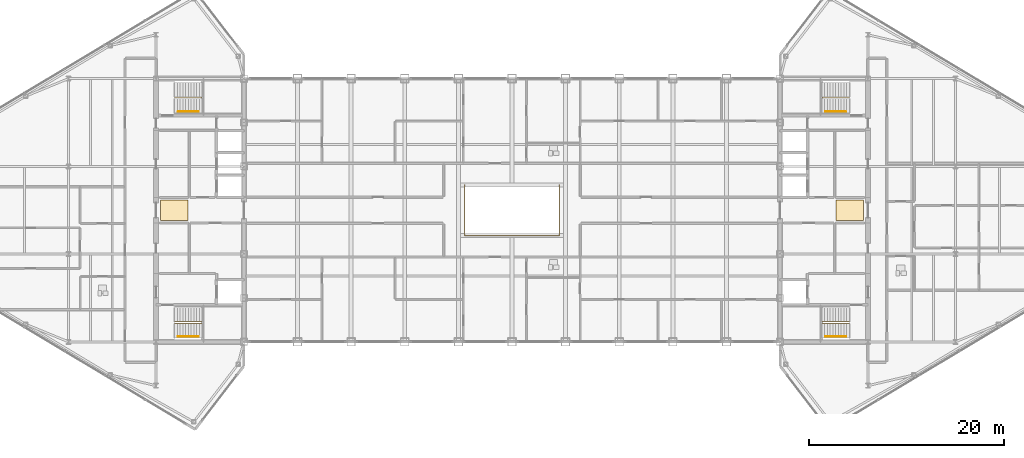
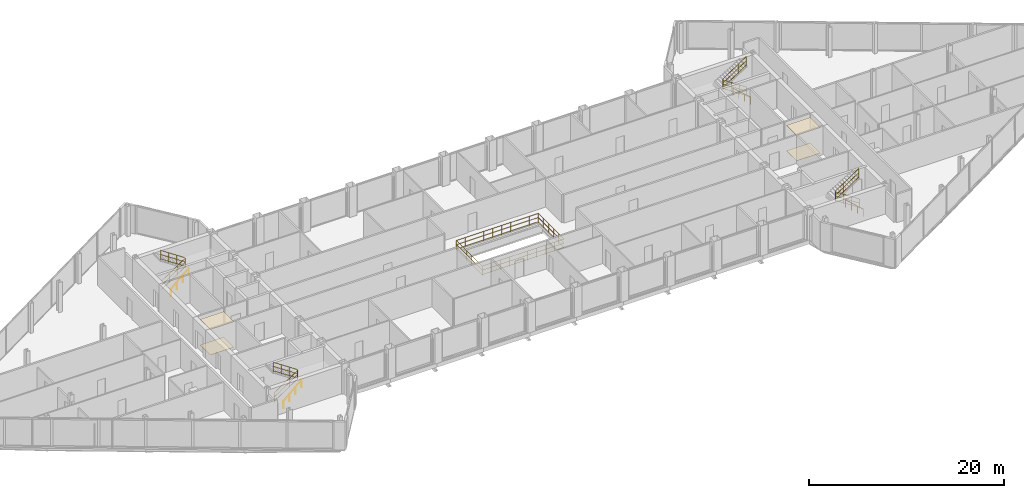
# One storey, part 28 of 29: 9 railings, 4 coverings.
"""IFC4 building model written with IfcOpenShell, lengths in metres."""

from ifc_helpers import new_model, si_unit, direction, frame, origin, origin_2d, place, context, subcontext, project, spatial, polyline, circle, outline, extrude, material, layer, layer_set, type_object, element, save


model = new_model("IFC4")

# Units and contexts
model_context = context("Model", 3, precision=1e-05, world=origin(), true_north=direction((0.0, 1.0)))
body_context = subcontext(model_context, "Body", "Model", "MODEL_VIEW")
ifc_project = project(units=[si_unit("LENGTHUNIT", "METRE"), si_unit("AREAUNIT", "SQUARE_METRE"), si_unit("VOLUMEUNIT", "CUBIC_METRE"), si_unit("PLANEANGLEUNIT", "RADIAN"), si_unit("MASSUNIT", "GRAM", prefix="KILO")], contexts=[model_context])

# Site, building, storey
site_placement = place(None, origin())
site = spatial("IfcSite", under=ifc_project, at=site_placement, CompositionType="ELEMENT")
building_placement = place(site_placement, origin())
building = spatial("IfcBuilding", under=site, at=building_placement, Name="Seokmaru Belvedere", CompositionType="ELEMENT")
storey_placement = place(building_placement, frame((0.0, 0.0, 250.64990234375)))
storey = spatial("IfcBuildingStorey", under=building, at=storey_placement, Name="L66", CompositionType="ELEMENT", Elevation=250.64990234375)

# Coverings
ifc_material_1 = material(Name="Engineered White Oak Timber", Category="wood")
ifc_layer_1 = layer(ifc_material_1, 0.02197265625)
ifc_layer_set_1 = layer_set([ifc_layer_1], Name="Engineered White Oak Timber")
covering_type_1 = type_object("IfcCoveringType", Name="Engineered Oak Residence Floor Finish 22", PredefinedType="FLOORING", material=ifc_layer_set_1)
covering_1_placement = place(storey_placement, origin())
element("IfcCovering", 1, at=covering_1_placement, inside=storey, type_object=covering_type_1, Name="L66 W Foyer Floor Finish", PredefinedType="FLOORING", context=body_context, shape_type="SweptSolid", body=[
    extrude(outline(polyline([(-36.050048828125, -1.050048828125), (-33.25, -1.050048828125), (-33.25, 1.050048828125), (-36.050048828125, 1.050048828125), (-36.050048828125, -1.050048828125)])), origin(), (0.0, 0.0, 1.0), 0.022216796875),
])
covering_2_placement = place(storey_placement, origin())
element("IfcCovering", 2, at=covering_2_placement, inside=storey, type_object=covering_type_1, Name="L66 E Foyer Floor Finish", PredefinedType="FLOORING", context=body_context, shape_type="SweptSolid", body=[
    extrude(outline(polyline([(33.25, -1.050048828125), (36.050048828125, -1.050048828125), (36.050048828125, 1.050048828125), (33.25, 1.050048828125), (33.25, -1.050048828125)])), origin(), (0.0, 0.0, 1.0), 0.022216796875),
])
ifc_material_2 = material(Name="Fire-Rated Gypsum Shaftwall")
ifc_layer_2 = layer(ifc_material_2, 0.02490234375)
ifc_layer_set_2 = layer_set([ifc_layer_2], Name="Fire-Rated Gypsum Shaftwall")
covering_type_2 = type_object("IfcCoveringType", Name="Perforated Acoustic Gypsum Suspended Ceiling 25", PredefinedType="CEILING", material=ifc_layer_set_2)
covering_3_placement = place(storey_placement, frame((0.0, 0.0, 3.18017578125)))
element("IfcCovering", 3, at=covering_3_placement, inside=storey, type_object=covering_type_2, Name="L66 W Lift Foyer Acoustic Ceiling", PredefinedType="CEILING", context=body_context, shape_type="SweptSolid", body=[
    extrude(outline(polyline([(-36.050048828125, -1.050048828125), (-33.25, -1.050048828125), (-33.25, 1.050048828125), (-36.050048828125, 1.050048828125), (-36.050048828125, -1.050048828125)])), origin(), (0.0, 0.0, 1.0), 0.02490234375),
])
covering_4_placement = place(storey_placement, frame((0.0, 0.0, 3.18017578125)))
element("IfcCovering", 4, at=covering_4_placement, inside=storey, type_object=covering_type_2, Name="L66 E Lift Foyer Acoustic Ceiling", PredefinedType="CEILING", context=body_context, shape_type="SweptSolid", body=[
    extrude(outline(polyline([(33.25, -1.050048828125), (36.050048828125, -1.050048828125), (36.050048828125, 1.050048828125), (33.25, 1.050048828125), (33.25, -1.050048828125)])), origin(), (0.0, 0.0, 1.0), 0.02490234375),
])

# Railings
ifc_material_3 = material(Name="Stainless Steel 316", Category="steel")
railing_type_1 = type_object("IfcRailingType", Name="Stainless Steel Wall and Flight Handrail 900", PredefinedType="HANDRAIL", material=ifc_material_3)
for number, where, name in (
    (5, (-34.25, -12.949951171875, 0.0), "L66 Stair ST-W1 Wall Handrail"),
    (6, (-34.25, 10.110107421875, 0.0), "L66 Stair ST-W2 Wall Handrail"),
):
    element("IfcRailing", number, at=place(storey_placement, frame(where)), inside=storey, type_object=railing_type_1, Name=name, PredefinedType="HANDRAIL", context=body_context, shape_type="SweptSolid", body=[
        extrude(circle(Radius=0.02392578125, at=origin_2d()), frame((0.0, 0.0, 0.8759765625), z_axis=(0.74595304797, 0.0, 0.665998536202), x_axis=(0.0, 1.0, 0.0)), (0.0, 0.0, 1.0), 2.8154296875),
        extrude(circle(Radius=0.02099609375, at=origin_2d()), origin(), (0.0, 0.0, 1.0), 0.851806640625),
        extrude(circle(Radius=0.02099609375, at=origin_2d()), frame((0.699951171875, 0.0, 0.625)), (0.0, 0.0, 1.0), 0.851806640625),
        extrude(circle(Radius=0.02099609375, at=origin_2d()), frame((1.400146484375, 0.0, 1.25)), (0.0, 0.0, 1.0), 0.851806640625),
        extrude(circle(Radius=0.02099609375, at=origin_2d()), frame((2.10009765625, 0.0, 1.875)), (0.0, 0.0, 1.0), 0.851806640625),
    ])
for number, where, name in (
    (7, (34.25, -12.949951171875, 0.0), "L66 Stair ST-E1 Wall Handrail"),
    (8, (34.25, 10.110107421875, 0.0), "L66 Stair ST-E2 Wall Handrail"),
):
    element("IfcRailing", number, at=place(storey_placement, frame(where)), inside=storey, type_object=railing_type_1, Name=name, PredefinedType="HANDRAIL", context=body_context, shape_type="SweptSolid", body=[
        extrude(circle(Radius=0.02392578125, at=origin_2d()), frame((0.0, 0.0, 0.8759765625), z_axis=(-0.74595304797, 0.0, 0.665998536202), x_axis=(0.0, -1.0, 0.0)), (0.0, 0.0, 1.0), 2.8154296875),
        extrude(circle(Radius=0.02099609375, at=origin_2d()), origin(), (0.0, 0.0, 1.0), 0.851806640625),
        extrude(circle(Radius=0.02099609375, at=origin_2d()), frame((-0.699951171875, 0.0, 0.625)), (0.0, 0.0, 1.0), 0.851806640625),
        extrude(circle(Radius=0.02099609375, at=origin_2d()), frame((-1.400146484375, 0.0, 1.25)), (0.0, 0.0, 1.0), 0.851806640625),
        extrude(circle(Radius=0.02099609375, at=origin_2d()), frame((-2.10009765625, 0.0, 1.875)), (0.0, 0.0, 1.0), 0.851806640625),
    ])
railing_type_2 = type_object("IfcRailingType", Name="Stair Well and Atrium Steel Guardrail 1200", PredefinedType="GUARDRAIL", material=ifc_material_3)
railing_1_placement = place(storey_placement, frame((-34.60009765625, -11.60009765625, 0.0)))
element("IfcRailing", 9, at=railing_1_placement, inside=storey, type_object=railing_type_2, Name="L66 Stair ST-W1 Inner Well Guardrail", PredefinedType="GUARDRAIL", context=body_context, shape_type="SweptSolid", body=[
    extrude(circle(Radius=0.02392578125, at=origin_2d()), frame((0.0, 0.0, 1.17578125), z_axis=(0.830911662861, 0.0, 0.55640435703), x_axis=(0.0, 1.0, 0.0)), (0.0, 0.0, 1.0), 3.369873046875),
    extrude(circle(Radius=0.02392578125, at=origin_2d()), frame((0.0, 0.0, 0.1201171875), z_axis=(0.830911662861, 0.0, 0.55640435703), x_axis=(0.0, 1.0, 0.0)), (0.0, 0.0, 1.0), 3.369873046875),
    extrude(circle(Radius=0.02392578125, at=origin_2d()), frame((0.0, 0.0, 0.659912109375), z_axis=(0.830911662861, 0.0, 0.55640435703), x_axis=(0.0, 1.0, 0.0)), (0.0, 0.0, 1.0), 3.369873046875),
    extrude(circle(Radius=0.02392578125, at=origin_2d()), frame((2.800048828125, 0.0, 3.05078125), z_axis=(0.0, 1.0, 0.0), x_axis=(-1.0, 0.0, 0.0)), (0.0, 0.0, 1.0), 0.14013671875),
    extrude(circle(Radius=0.02392578125, at=origin_2d()), frame((2.800048828125, 0.0, 1.9951171875), z_axis=(0.0, 1.0, 0.0), x_axis=(-1.0, 0.0, 0.0)), (0.0, 0.0, 1.0), 0.14013671875),
    extrude(circle(Radius=0.02392578125, at=origin_2d()), frame((2.800048828125, 0.0, 2.534912109375), z_axis=(0.0, 1.0, 0.0), x_axis=(-1.0, 0.0, 0.0)), (0.0, 0.0, 1.0), 0.14013671875),
    extrude(circle(Radius=0.02392578125, at=origin_2d()), frame((2.800048828125, 0.14013671875, 3.05078125), z_axis=(-0.830911662861, 0.0, 0.55640435703), x_axis=(0.0, -1.0, 0.0)), (0.0, 0.0, 1.0), 3.369873046875),
    extrude(circle(Radius=0.02392578125, at=origin_2d()), frame((2.800048828125, 0.14013671875, 1.9951171875), z_axis=(-0.830911662861, 0.0, 0.55640435703), x_axis=(0.0, -1.0, 0.0)), (0.0, 0.0, 1.0), 3.369873046875),
    extrude(circle(Radius=0.02392578125, at=origin_2d()), frame((2.800048828125, 0.14013671875, 2.534912109375), z_axis=(-0.830911662861, 0.0, 0.55640435703), x_axis=(0.0, -1.0, 0.0)), (0.0, 0.0, 1.0), 3.369873046875),
    extrude(circle(Radius=0.02099609375, at=origin_2d()), origin(), (0.0, 0.0, 1.0), 1.15185546875),
    extrude(circle(Radius=0.02099609375, at=origin_2d()), frame((0.933349609375, 0.0, 0.625)), (0.0, 0.0, 1.0), 1.15185546875),
    extrude(circle(Radius=0.02099609375, at=origin_2d()), frame((1.86669921875, 0.0, 1.25)), (0.0, 0.0, 1.0), 1.15185546875),
    extrude(circle(Radius=0.02099609375, at=origin_2d()), frame((2.800048828125, 0.0, 1.875)), (0.0, 0.0, 1.0), 1.15185546875),
    extrude(circle(Radius=0.02099609375, at=origin_2d()), frame((2.800048828125, 0.14013671875, 1.875)), (0.0, 0.0, 1.0), 1.15185546875),
    extrude(circle(Radius=0.02099609375, at=origin_2d()), frame((1.86669921875, 0.14013671875, 2.5)), (0.0, 0.0, 1.0), 1.15185546875),
    extrude(circle(Radius=0.02099609375, at=origin_2d()), frame((0.933349609375, 0.14013671875, 3.125)), (0.0, 0.0, 1.0), 1.15185546875),
    extrude(circle(Radius=0.02099609375, at=origin_2d()), frame((0.0, 0.14013671875, 3.75)), (0.0, 0.0, 1.0), 1.15185546875),
])
railing_2_placement = place(storey_placement, frame((-34.60009765625, 11.4599609375, 0.0)))
element("IfcRailing", 10, at=railing_2_placement, inside=storey, type_object=railing_type_2, Name="L66 Stair ST-W2 Inner Well Guardrail", PredefinedType="GUARDRAIL", context=body_context, shape_type="SweptSolid", body=[
    extrude(circle(Radius=0.02392578125, at=origin_2d()), frame((0.0, 0.0, 1.17578125), z_axis=(0.830911662861, 0.0, 0.55640435703), x_axis=(0.0, 1.0, 0.0)), (0.0, 0.0, 1.0), 3.369873046875),
    extrude(circle(Radius=0.02392578125, at=origin_2d()), frame((0.0, 0.0, 0.1201171875), z_axis=(0.830911662861, 0.0, 0.55640435703), x_axis=(0.0, 1.0, 0.0)), (0.0, 0.0, 1.0), 3.369873046875),
    extrude(circle(Radius=0.02392578125, at=origin_2d()), frame((0.0, 0.0, 0.659912109375), z_axis=(0.830911662861, 0.0, 0.55640435703), x_axis=(0.0, 1.0, 0.0)), (0.0, 0.0, 1.0), 3.369873046875),
    extrude(circle(Radius=0.02392578125, at=origin_2d()), frame((2.800048828125, 0.0, 3.05078125), z_axis=(0.0, 1.0, 0.0), x_axis=(-1.0, 0.0, 0.0)), (0.0, 0.0, 1.0), 0.14013671875),
    extrude(circle(Radius=0.02392578125, at=origin_2d()), frame((2.800048828125, 0.0, 1.9951171875), z_axis=(0.0, 1.0, 0.0), x_axis=(-1.0, 0.0, 0.0)), (0.0, 0.0, 1.0), 0.14013671875),
    extrude(circle(Radius=0.02392578125, at=origin_2d()), frame((2.800048828125, 0.0, 2.534912109375), z_axis=(0.0, 1.0, 0.0), x_axis=(-1.0, 0.0, 0.0)), (0.0, 0.0, 1.0), 0.14013671875),
    extrude(circle(Radius=0.02392578125, at=origin_2d()), frame((2.800048828125, 0.14013671875, 3.05078125), z_axis=(-0.830911662861, 0.0, 0.55640435703), x_axis=(0.0, -1.0, 0.0)), (0.0, 0.0, 1.0), 3.369873046875),
    extrude(circle(Radius=0.02392578125, at=origin_2d()), frame((2.800048828125, 0.14013671875, 1.9951171875), z_axis=(-0.830911662861, 0.0, 0.55640435703), x_axis=(0.0, -1.0, 0.0)), (0.0, 0.0, 1.0), 3.369873046875),
    extrude(circle(Radius=0.02392578125, at=origin_2d()), frame((2.800048828125, 0.14013671875, 2.534912109375), z_axis=(-0.830911662861, 0.0, 0.55640435703), x_axis=(0.0, -1.0, 0.0)), (0.0, 0.0, 1.0), 3.369873046875),
    extrude(circle(Radius=0.02099609375, at=origin_2d()), origin(), (0.0, 0.0, 1.0), 1.15185546875),
    extrude(circle(Radius=0.02099609375, at=origin_2d()), frame((0.933349609375, 0.0, 0.625)), (0.0, 0.0, 1.0), 1.15185546875),
    extrude(circle(Radius=0.02099609375, at=origin_2d()), frame((1.86669921875, 0.0, 1.25)), (0.0, 0.0, 1.0), 1.15185546875),
    extrude(circle(Radius=0.02099609375, at=origin_2d()), frame((2.800048828125, 0.0, 1.875)), (0.0, 0.0, 1.0), 1.15185546875),
    extrude(circle(Radius=0.02099609375, at=origin_2d()), frame((2.800048828125, 0.14013671875, 1.875)), (0.0, 0.0, 1.0), 1.15185546875),
    extrude(circle(Radius=0.02099609375, at=origin_2d()), frame((1.86669921875, 0.14013671875, 2.5)), (0.0, 0.0, 1.0), 1.15185546875),
    extrude(circle(Radius=0.02099609375, at=origin_2d()), frame((0.933349609375, 0.14013671875, 3.125)), (0.0, 0.0, 1.0), 1.15185546875),
    extrude(circle(Radius=0.02099609375, at=origin_2d()), frame((0.0, 0.14013671875, 3.75)), (0.0, 0.0, 1.0), 1.15185546875),
])
railing_3_placement = place(storey_placement, frame((34.60009765625, -11.60009765625, 0.0)))
element("IfcRailing", 11, at=railing_3_placement, inside=storey, type_object=railing_type_2, Name="L66 Stair ST-E1 Inner Well Guardrail", PredefinedType="GUARDRAIL", context=body_context, shape_type="SweptSolid", body=[
    extrude(circle(Radius=0.02392578125, at=origin_2d()), frame((0.0, 0.0, 1.17578125), z_axis=(-0.830911662861, 0.0, 0.55640435703), x_axis=(0.0, -1.0, 0.0)), (0.0, 0.0, 1.0), 3.369873046875),
    extrude(circle(Radius=0.02392578125, at=origin_2d()), frame((0.0, 0.0, 0.1201171875), z_axis=(-0.830911662861, 0.0, 0.55640435703), x_axis=(0.0, -1.0, 0.0)), (0.0, 0.0, 1.0), 3.369873046875),
    extrude(circle(Radius=0.02392578125, at=origin_2d()), frame((0.0, 0.0, 0.659912109375), z_axis=(-0.830911662861, 0.0, 0.55640435703), x_axis=(0.0, -1.0, 0.0)), (0.0, 0.0, 1.0), 3.369873046875),
    extrude(circle(Radius=0.02392578125, at=origin_2d()), frame((-2.800048828125, 0.0, 3.05078125), z_axis=(0.0, 1.0, 0.0), x_axis=(-1.0, 0.0, 0.0)), (0.0, 0.0, 1.0), 0.14013671875),
    extrude(circle(Radius=0.02392578125, at=origin_2d()), frame((-2.800048828125, 0.0, 1.9951171875), z_axis=(0.0, 1.0, 0.0), x_axis=(-1.0, 0.0, 0.0)), (0.0, 0.0, 1.0), 0.14013671875),
    extrude(circle(Radius=0.02392578125, at=origin_2d()), frame((-2.800048828125, 0.0, 2.534912109375), z_axis=(0.0, 1.0, 0.0), x_axis=(-1.0, 0.0, 0.0)), (0.0, 0.0, 1.0), 0.14013671875),
    extrude(circle(Radius=0.02392578125, at=origin_2d()), frame((-2.800048828125, 0.14013671875, 3.05078125), z_axis=(0.830911662861, 0.0, 0.55640435703), x_axis=(0.0, 1.0, 0.0)), (0.0, 0.0, 1.0), 3.369873046875),
    extrude(circle(Radius=0.02392578125, at=origin_2d()), frame((-2.800048828125, 0.14013671875, 1.9951171875), z_axis=(0.830911662861, 0.0, 0.55640435703), x_axis=(0.0, 1.0, 0.0)), (0.0, 0.0, 1.0), 3.369873046875),
    extrude(circle(Radius=0.02392578125, at=origin_2d()), frame((-2.800048828125, 0.14013671875, 2.534912109375), z_axis=(0.830911662861, 0.0, 0.55640435703), x_axis=(0.0, 1.0, 0.0)), (0.0, 0.0, 1.0), 3.369873046875),
    extrude(circle(Radius=0.02099609375, at=origin_2d()), origin(), (0.0, 0.0, 1.0), 1.15185546875),
    extrude(circle(Radius=0.02099609375, at=origin_2d()), frame((-0.933349609375, 0.0, 0.625)), (0.0, 0.0, 1.0), 1.15185546875),
    extrude(circle(Radius=0.02099609375, at=origin_2d()), frame((-1.86669921875, 0.0, 1.25)), (0.0, 0.0, 1.0), 1.15185546875),
    extrude(circle(Radius=0.02099609375, at=origin_2d()), frame((-2.800048828125, 0.0, 1.875)), (0.0, 0.0, 1.0), 1.15185546875),
    extrude(circle(Radius=0.02099609375, at=origin_2d()), frame((-2.800048828125, 0.14013671875, 1.875)), (0.0, 0.0, 1.0), 1.15185546875),
    extrude(circle(Radius=0.02099609375, at=origin_2d()), frame((-1.86669921875, 0.14013671875, 2.5)), (0.0, 0.0, 1.0), 1.15185546875),
    extrude(circle(Radius=0.02099609375, at=origin_2d()), frame((-0.933349609375, 0.14013671875, 3.125)), (0.0, 0.0, 1.0), 1.15185546875),
    extrude(circle(Radius=0.02099609375, at=origin_2d()), frame((0.0, 0.14013671875, 3.75)), (0.0, 0.0, 1.0), 1.15185546875),
])
railing_4_placement = place(storey_placement, frame((34.60009765625, 11.4599609375, 0.0)))
element("IfcRailing", 12, at=railing_4_placement, inside=storey, type_object=railing_type_2, Name="L66 Stair ST-E2 Inner Well Guardrail", PredefinedType="GUARDRAIL", context=body_context, shape_type="SweptSolid", body=[
    extrude(circle(Radius=0.02392578125, at=origin_2d()), frame((0.0, 0.0, 1.17578125), z_axis=(-0.830911662861, 0.0, 0.55640435703), x_axis=(0.0, -1.0, 0.0)), (0.0, 0.0, 1.0), 3.369873046875),
    extrude(circle(Radius=0.02392578125, at=origin_2d()), frame((0.0, 0.0, 0.1201171875), z_axis=(-0.830911662861, 0.0, 0.55640435703), x_axis=(0.0, -1.0, 0.0)), (0.0, 0.0, 1.0), 3.369873046875),
    extrude(circle(Radius=0.02392578125, at=origin_2d()), frame((0.0, 0.0, 0.659912109375), z_axis=(-0.830911662861, 0.0, 0.55640435703), x_axis=(0.0, -1.0, 0.0)), (0.0, 0.0, 1.0), 3.369873046875),
    extrude(circle(Radius=0.02392578125, at=origin_2d()), frame((-2.800048828125, 0.0, 3.05078125), z_axis=(0.0, 1.0, 0.0), x_axis=(-1.0, 0.0, 0.0)), (0.0, 0.0, 1.0), 0.14013671875),
    extrude(circle(Radius=0.02392578125, at=origin_2d()), frame((-2.800048828125, 0.0, 1.9951171875), z_axis=(0.0, 1.0, 0.0), x_axis=(-1.0, 0.0, 0.0)), (0.0, 0.0, 1.0), 0.14013671875),
    extrude(circle(Radius=0.02392578125, at=origin_2d()), frame((-2.800048828125, 0.0, 2.534912109375), z_axis=(0.0, 1.0, 0.0), x_axis=(-1.0, 0.0, 0.0)), (0.0, 0.0, 1.0), 0.14013671875),
    extrude(circle(Radius=0.02392578125, at=origin_2d()), frame((-2.800048828125, 0.14013671875, 3.05078125), z_axis=(0.830911662861, 0.0, 0.55640435703), x_axis=(0.0, 1.0, 0.0)), (0.0, 0.0, 1.0), 3.369873046875),
    extrude(circle(Radius=0.02392578125, at=origin_2d()), frame((-2.800048828125, 0.14013671875, 1.9951171875), z_axis=(0.830911662861, 0.0, 0.55640435703), x_axis=(0.0, 1.0, 0.0)), (0.0, 0.0, 1.0), 3.369873046875),
    extrude(circle(Radius=0.02392578125, at=origin_2d()), frame((-2.800048828125, 0.14013671875, 2.534912109375), z_axis=(0.830911662861, 0.0, 0.55640435703), x_axis=(0.0, 1.0, 0.0)), (0.0, 0.0, 1.0), 3.369873046875),
    extrude(circle(Radius=0.02099609375, at=origin_2d()), origin(), (0.0, 0.0, 1.0), 1.15185546875),
    extrude(circle(Radius=0.02099609375, at=origin_2d()), frame((-0.933349609375, 0.0, 0.625)), (0.0, 0.0, 1.0), 1.15185546875),
    extrude(circle(Radius=0.02099609375, at=origin_2d()), frame((-1.86669921875, 0.0, 1.25)), (0.0, 0.0, 1.0), 1.15185546875),
    extrude(circle(Radius=0.02099609375, at=origin_2d()), frame((-2.800048828125, 0.0, 1.875)), (0.0, 0.0, 1.0), 1.15185546875),
    extrude(circle(Radius=0.02099609375, at=origin_2d()), frame((-2.800048828125, 0.14013671875, 1.875)), (0.0, 0.0, 1.0), 1.15185546875),
    extrude(circle(Radius=0.02099609375, at=origin_2d()), frame((-1.86669921875, 0.14013671875, 2.5)), (0.0, 0.0, 1.0), 1.15185546875),
    extrude(circle(Radius=0.02099609375, at=origin_2d()), frame((-0.933349609375, 0.14013671875, 3.125)), (0.0, 0.0, 1.0), 1.15185546875),
    extrude(circle(Radius=0.02099609375, at=origin_2d()), frame((0.0, 0.14013671875, 3.75)), (0.0, 0.0, 1.0), 1.15185546875),
])
railing_5_placement = place(storey_placement, frame((-4.840087890625, -2.639892578125, 0.0)))
element("IfcRailing", 13, at=railing_5_placement, inside=storey, type_object=railing_type_2, Name="L66 Sky-Gate Atrium Void Balustrade", PredefinedType="GUARDRAIL", context=body_context, shape_type="SweptSolid", body=[
    extrude(circle(Radius=0.02392578125, at=origin_2d()), frame((0.0, 0.0, 1.17578125), z_axis=(1.0, 0.0, 0.0), x_axis=(0.0, 1.0, 0.0)), (0.0, 0.0, 1.0), 9.68017578125),
    extrude(circle(Radius=0.02392578125, at=origin_2d()), frame((0.0, 0.0, 0.1201171875), z_axis=(1.0, 0.0, 0.0), x_axis=(0.0, 1.0, 0.0)), (0.0, 0.0, 1.0), 9.68017578125),
    extrude(circle(Radius=0.02392578125, at=origin_2d()), frame((0.0, 0.0, 0.659912109375), z_axis=(1.0, 0.0, 0.0), x_axis=(0.0, 1.0, 0.0)), (0.0, 0.0, 1.0), 9.68017578125),
    extrude(circle(Radius=0.02392578125, at=origin_2d()), frame((9.68017578125, 0.0, 1.17578125), z_axis=(0.0, 1.0, 0.0), x_axis=(-1.0, 0.0, 0.0)), (0.0, 0.0, 1.0), 5.27978515625),
    extrude(circle(Radius=0.02392578125, at=origin_2d()), frame((9.68017578125, 0.0, 0.1201171875), z_axis=(0.0, 1.0, 0.0), x_axis=(-1.0, 0.0, 0.0)), (0.0, 0.0, 1.0), 5.27978515625),
    extrude(circle(Radius=0.02392578125, at=origin_2d()), frame((9.68017578125, 0.0, 0.659912109375), z_axis=(0.0, 1.0, 0.0), x_axis=(-1.0, 0.0, 0.0)), (0.0, 0.0, 1.0), 5.27978515625),
    extrude(circle(Radius=0.02392578125, at=origin_2d()), frame((9.68017578125, 5.27978515625, 1.17578125), z_axis=(-1.0, 0.0, 0.0), x_axis=(0.0, -1.0, 0.0)), (0.0, 0.0, 1.0), 9.68017578125),
    extrude(circle(Radius=0.02392578125, at=origin_2d()), frame((9.68017578125, 5.27978515625, 0.1201171875), z_axis=(-1.0, 0.0, 0.0), x_axis=(0.0, -1.0, 0.0)), (0.0, 0.0, 1.0), 9.68017578125),
    extrude(circle(Radius=0.02392578125, at=origin_2d()), frame((9.68017578125, 5.27978515625, 0.659912109375), z_axis=(-1.0, 0.0, 0.0), x_axis=(0.0, -1.0, 0.0)), (0.0, 0.0, 1.0), 9.68017578125),
    extrude(circle(Radius=0.02392578125, at=origin_2d()), frame((0.0, 5.27978515625, 1.17578125), z_axis=(0.0, -1.0, 0.0), x_axis=(1.0, 0.0, 0.0)), (0.0, 0.0, 1.0), 5.27978515625),
    extrude(circle(Radius=0.02392578125, at=origin_2d()), frame((0.0, 5.27978515625, 0.1201171875), z_axis=(0.0, -1.0, 0.0), x_axis=(1.0, 0.0, 0.0)), (0.0, 0.0, 1.0), 5.27978515625),
    extrude(circle(Radius=0.02392578125, at=origin_2d()), frame((0.0, 5.27978515625, 0.659912109375), z_axis=(0.0, -1.0, 0.0), x_axis=(1.0, 0.0, 0.0)), (0.0, 0.0, 1.0), 5.27978515625),
    extrude(circle(Radius=0.02099609375, at=origin_2d()), origin(), (0.0, 0.0, 1.0), 1.15185546875),
    extrude(circle(Radius=0.02099609375, at=origin_2d()), frame((1.07568359375, 0.0, 0.0)), (0.0, 0.0, 1.0), 1.15185546875),
    extrude(circle(Radius=0.02099609375, at=origin_2d()), frame((2.151123046875, 0.0, 0.0)), (0.0, 0.0, 1.0), 1.15185546875),
    extrude(circle(Radius=0.02099609375, at=origin_2d()), frame((3.226806640625, 0.0, 0.0)), (0.0, 0.0, 1.0), 1.15185546875),
    extrude(circle(Radius=0.02099609375, at=origin_2d()), frame((4.30224609375, 0.0, 0.0)), (0.0, 0.0, 1.0), 1.15185546875),
    extrude(circle(Radius=0.02099609375, at=origin_2d()), frame((5.3779296875, 0.0, 0.0)), (0.0, 0.0, 1.0), 1.15185546875),
    extrude(circle(Radius=0.02099609375, at=origin_2d()), frame((6.453369140625, 0.0, 0.0)), (0.0, 0.0, 1.0), 1.15185546875),
    extrude(circle(Radius=0.02099609375, at=origin_2d()), frame((7.529052734375, 0.0, 0.0)), (0.0, 0.0, 1.0), 1.15185546875),
    extrude(circle(Radius=0.02099609375, at=origin_2d()), frame((8.6044921875, 0.0, 0.0)), (0.0, 0.0, 1.0), 1.15185546875),
    extrude(circle(Radius=0.02099609375, at=origin_2d()), frame((9.68017578125, 0.0, 0.0)), (0.0, 0.0, 1.0), 1.15185546875),
    extrude(circle(Radius=0.02099609375, at=origin_2d()), frame((9.68017578125, 1.055908203125, 0.0)), (0.0, 0.0, 1.0), 1.15185546875),
    extrude(circle(Radius=0.02099609375, at=origin_2d()), frame((9.68017578125, 2.11181640625, 0.0)), (0.0, 0.0, 1.0), 1.15185546875),
    extrude(circle(Radius=0.02099609375, at=origin_2d()), frame((9.68017578125, 3.16796875, 0.0)), (0.0, 0.0, 1.0), 1.15185546875),
    extrude(circle(Radius=0.02099609375, at=origin_2d()), frame((9.68017578125, 4.223876953125, 0.0)), (0.0, 0.0, 1.0), 1.15185546875),
    extrude(circle(Radius=0.02099609375, at=origin_2d()), frame((9.68017578125, 5.27978515625, 0.0)), (0.0, 0.0, 1.0), 1.15185546875),
    extrude(circle(Radius=0.02099609375, at=origin_2d()), frame((8.6044921875, 5.27978515625, 0.0)), (0.0, 0.0, 1.0), 1.15185546875),
    extrude(circle(Radius=0.02099609375, at=origin_2d()), frame((7.529052734375, 5.27978515625, 0.0)), (0.0, 0.0, 1.0), 1.15185546875),
    extrude(circle(Radius=0.02099609375, at=origin_2d()), frame((6.453369140625, 5.27978515625, 0.0)), (0.0, 0.0, 1.0), 1.15185546875),
    extrude(circle(Radius=0.02099609375, at=origin_2d()), frame((5.3779296875, 5.27978515625, 0.0)), (0.0, 0.0, 1.0), 1.15185546875),
    extrude(circle(Radius=0.02099609375, at=origin_2d()), frame((4.30224609375, 5.27978515625, 0.0)), (0.0, 0.0, 1.0), 1.15185546875),
    extrude(circle(Radius=0.02099609375, at=origin_2d()), frame((3.226806640625, 5.27978515625, 0.0)), (0.0, 0.0, 1.0), 1.15185546875),
    extrude(circle(Radius=0.02099609375, at=origin_2d()), frame((2.151123046875, 5.27978515625, 0.0)), (0.0, 0.0, 1.0), 1.15185546875),
    extrude(circle(Radius=0.02099609375, at=origin_2d()), frame((1.07568359375, 5.27978515625, 0.0)), (0.0, 0.0, 1.0), 1.15185546875),
    extrude(circle(Radius=0.02099609375, at=origin_2d()), frame((0.0, 5.27978515625, 0.0)), (0.0, 0.0, 1.0), 1.15185546875),
    extrude(circle(Radius=0.02099609375, at=origin_2d()), frame((0.0, 4.223876953125, 0.0)), (0.0, 0.0, 1.0), 1.15185546875),
    extrude(circle(Radius=0.02099609375, at=origin_2d()), frame((0.0, 3.16796875, 0.0)), (0.0, 0.0, 1.0), 1.15185546875),
    extrude(circle(Radius=0.02099609375, at=origin_2d()), frame((0.0, 2.11181640625, 0.0)), (0.0, 0.0, 1.0), 1.15185546875),
    extrude(circle(Radius=0.02099609375, at=origin_2d()), frame((0.0, 1.055908203125, 0.0)), (0.0, 0.0, 1.0), 1.15185546875),
])

save(model, "model.ifc")
